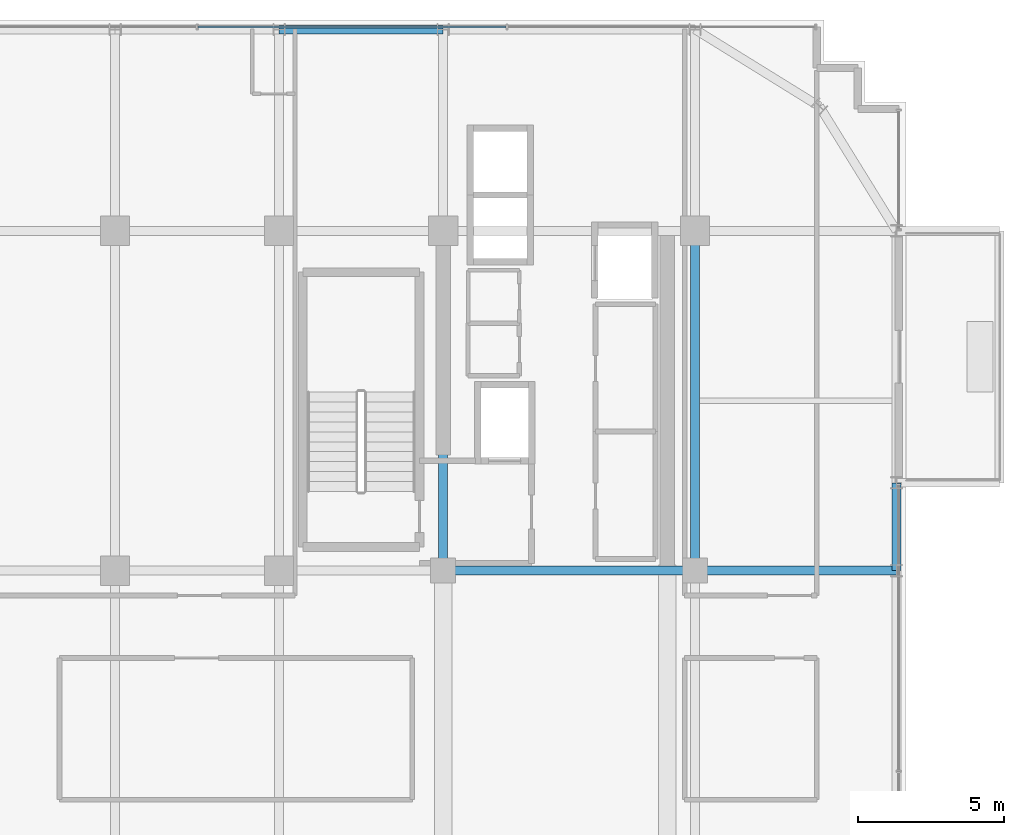
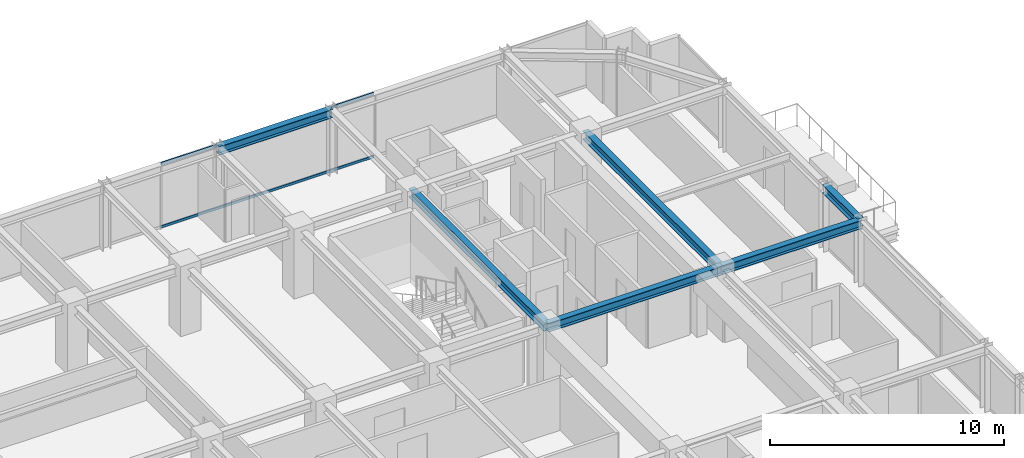
# One storey, part 23 of 36: 6 beams, 2 members, 1 element without a shape of its own.
"""IFC4 building model written with IfcOpenShell, lengths in metres."""

from ifc_helpers import new_model, si_unit, direction, frame, origin, origin_2d, place, context, subcontext, project, spatial, hollow_rectangle, i_section, extrude, source, transform, mapped, material, material_profile, profile_set, type_object, element, aggregate, save


model = new_model("IFC4")

# Units and contexts
model_context = context("Model", 3, precision=1e-05, world=origin(), true_north=direction((0.0, 1.0)))
body_context = subcontext(model_context, "Body", "Model", "MODEL_VIEW")
ifc_project = project(units=[si_unit("LENGTHUNIT", "METRE"), si_unit("AREAUNIT", "SQUARE_METRE"), si_unit("VOLUMEUNIT", "CUBIC_METRE"), si_unit("PLANEANGLEUNIT", "RADIAN"), si_unit("MASSUNIT", "GRAM", prefix="KILO")], contexts=[model_context])

# Site, building, storey
site_placement = place(None, origin())
site = spatial("IfcSite", under=ifc_project, at=site_placement, CompositionType="ELEMENT")
building_placement = place(site_placement, origin())
building = spatial("IfcBuilding", under=site, at=building_placement, Name="Nahalor Promenade Grand Hotel", CompositionType="ELEMENT")
storey_placement = place(building_placement, frame((0.0, 0.0, 253.0)))
storey = spatial("IfcBuildingStorey", under=building, at=storey_placement, Name="L65", CompositionType="ELEMENT", Elevation=253.0)

# Beams
ifc_material_1 = material(Name="Steel S355JR", Category="steel")
ifc_material_profile_1 = material_profile(ifc_material_1, i_section(OverallWidth=0.3, OverallDepth=0.45, WebThickness=0.014, FlangeThickness=0.026, at=origin_2d()), Name="HEB 450")
ifc_profile_set_1 = profile_set([ifc_material_profile_1], Name="Steel S355JR")
beam_type_1 = type_object("IfcBeamType", Name="Beam-Spandrel-HEB450", PredefinedType="SPANDREL", material=ifc_profile_set_1)
shared_shape_1 = source(origin(), body_context, "Body", "SweptSolid", [
    extrude(i_section(OverallWidth=0.3, OverallDepth=0.45, WebThickness=0.014, FlangeThickness=0.026, at=origin_2d()), origin(), (0.0, 0.0, 1.0), 5.599853515625),
])
beam_1_placement = place(storey_placement, frame((2.800048828125, 23.8798828125, 3.18505859375), z_axis=(1.0, 0.0, 0.0), x_axis=(0.0, 1.0, 0.0)))
element("IfcBeam", 1, at=beam_1_placement, inside=storey, type_object=beam_type_1, Name="BM-L65-SP-N-3", PredefinedType="SPANDREL", context=body_context, shape_type="MappedRepresentation", body=[
    mapped(shared_shape_1, transform((0.0, 0.0, 0.0), scale=1.0)),
])
shared_shape_2 = source(origin(), body_context, "Body", "SweptSolid", [
    extrude(i_section(OverallWidth=0.3, OverallDepth=0.45, WebThickness=0.014, FlangeThickness=0.026, at=origin_2d()), origin(), (0.0, 0.0, 1.0), 3.0),
])
beam_2_placement = place(storey_placement, frame((23.8798828125, 5.39990234375, 3.18505859375), z_axis=(0.0, 1.0, 0.0), x_axis=(-1.0, 0.0, 0.0)))
element("IfcBeam", 2, at=beam_2_placement, inside=storey, type_object=beam_type_1, Name="BM-L65-SP-E-3", PredefinedType="SPANDREL", context=body_context, shape_type="MappedRepresentation", body=[
    mapped(shared_shape_2, transform((0.0, 0.0, 0.0), scale=1.0)),
])
ifc_material_profile_2 = material_profile(ifc_material_1, i_section(OverallWidth=0.3, OverallDepth=0.45, WebThickness=0.014, FlangeThickness=0.026, at=origin_2d()), Name="HEB 450")
ifc_profile_set_2 = profile_set([ifc_material_profile_2], Name="Steel S355JR")
beam_type_2 = type_object("IfcBeamType", Name="Beam-Girder-HEB450", PredefinedType="BEAM", material=ifc_profile_set_2)
shared_shape_3 = source(origin(), body_context, "Body", "SweptSolid", [
    extrude(i_section(OverallWidth=0.3, OverallDepth=0.45, WebThickness=0.014, FlangeThickness=0.026, at=origin_2d()), origin(), (0.0, 0.0, 1.0), 6.8798828125),
])
beam_3_placement = place(storey_placement, frame((17.0, 5.39990234375, 3.18505859375), z_axis=(1.0, 0.0, 0.0), x_axis=(0.0, 1.0, 0.0)))
element("IfcBeam", 3, at=beam_3_placement, inside=storey, type_object=beam_type_2, Name="BM-L65-GX-2-6", PredefinedType="BEAM", context=body_context, shape_type="MappedRepresentation", body=[
    mapped(shared_shape_3, transform((0.0, 0.0, 0.0), scale=1.0)),
])
shared_shape_4 = source(origin(), body_context, "Body", "SweptSolid", [
    extrude(i_section(OverallWidth=0.3, OverallDepth=0.45, WebThickness=0.014, FlangeThickness=0.026, at=origin_2d()), origin(), (0.0, 0.0, 1.0), 8.60009765625),
])
beam_4_placement = place(storey_placement, frame((8.39990234375, 5.39990234375, 3.18505859375), z_axis=(1.0, 0.0, 0.0), x_axis=(0.0, 1.0, 0.0)))
element("IfcBeam", 4, at=beam_4_placement, inside=storey, type_object=beam_type_2, Name="BM-L65-GX-2-5", PredefinedType="BEAM", context=body_context, shape_type="MappedRepresentation", body=[
    mapped(shared_shape_4, transform((0.0, 0.0, 0.0), scale=1.0)),
])
shared_shape_5 = source(origin(), body_context, "Body", "SweptSolid", [
    extrude(i_section(OverallWidth=0.3, OverallDepth=0.45, WebThickness=0.014, FlangeThickness=0.026, at=origin_2d()), origin(), (0.0, 0.0, 1.0), 11.60009765625),
])
for number, where, z_axis, x_axis, name in (
    (5, (8.39990234375, 5.39990234375, 3.18505859375), (0.0, 1.0, 0.0), (-1.0, 0.0, 0.0), "BM-L65-GY-4-3"),
    (6, (17.0, 5.39990234375, 3.18505859375), (0.0, 1.0, 0.0), (-1.0, 0.0, 0.0), "BM-L65-GY-5-3"),
):
    element("IfcBeam", number, at=place(storey_placement, frame(where, z_axis=z_axis, x_axis=x_axis)), inside=storey, type_object=beam_type_2, Name=name, PredefinedType="BEAM", context=body_context, shape_type="MappedRepresentation", body=[
        mapped(shared_shape_5, transform((0.0, 0.0, 0.0), scale=1.0)),
    ])

# Curtain wall, members
ifc_material_2 = material(Name="Anodised Bronze Aluminium EN AW-6063 T6", Category="aluminium")
curtain_wall_type = type_object("IfcCurtainWallType", Name="CW2 Typical Hotel Flush Bronze Unitised Curtain Wall", PredefinedType="USERDEFINED", material=ifc_material_2)
curtain_wall_placement = place(storey_placement, origin())
curtain_wall = element("IfcCurtainWall", 7, at=curtain_wall_placement, inside=storey, type_object=curtain_wall_type, Name="L65 Curtain Wall CW-L65-N-1", ObjectType="UNITISED_CURTAIN_WALL", PredefinedType="USERDEFINED")
ifc_material_profile_3 = material_profile(ifc_material_2, hollow_rectangle(XDim=0.065, YDim=0.13, WallThickness=0.004, at=origin_2d()), Name="CWT 65x130x4")
ifc_profile_set_3 = profile_set([ifc_material_profile_3], Name="Anodised Bronze Aluminium EN AW-6063 T6")
member_type = type_object("IfcMemberType", Name="CWT2 Typical Bronze Transom 65x130", PredefinedType="USERDEFINED", material=ifc_profile_set_3)
shared_shape_6 = source(origin(), body_context, "Body", "SweptSolid", [
    extrude(hollow_rectangle(XDim=0.065, YDim=0.13, WallThickness=0.004, at=origin_2d()), origin(), (0.0, 0.0, 1.0), 10.51513671875),
])
member_1_placement = place(storey_placement, frame((0.032470703125, 23.9599609375, 0.06494140625), z_axis=(1.0, 0.0, 0.0), x_axis=(0.0, 1.0, 0.0)))
member_1 = element("IfcMember", 8, at=member_1_placement, type_object=member_type, Name="CW-L65-N-1 Transom 2-0", ObjectType="TRANSOM", PredefinedType="USERDEFINED", context=body_context, shape_type="MappedRepresentation", body=[
    mapped(shared_shape_6, transform((0.0, 0.0, 0.0), scale=1.0)),
])
member_2_placement = place(storey_placement, frame((0.032470703125, 23.9599609375, 3.344970703125), z_axis=(1.0, 0.0, 0.0), x_axis=(0.0, 1.0, 0.0)))
member_2 = element("IfcMember", 9, at=member_2_placement, type_object=member_type, Name="CW-L65-N-1 Transom 2-1", ObjectType="TRANSOM", PredefinedType="USERDEFINED", context=body_context, shape_type="MappedRepresentation", body=[
    mapped(shared_shape_6, transform((0.0, 0.0, 0.0), scale=1.0)),
])
aggregate(curtain_wall, [member_1, member_2])

save(model, "model.ifc")
